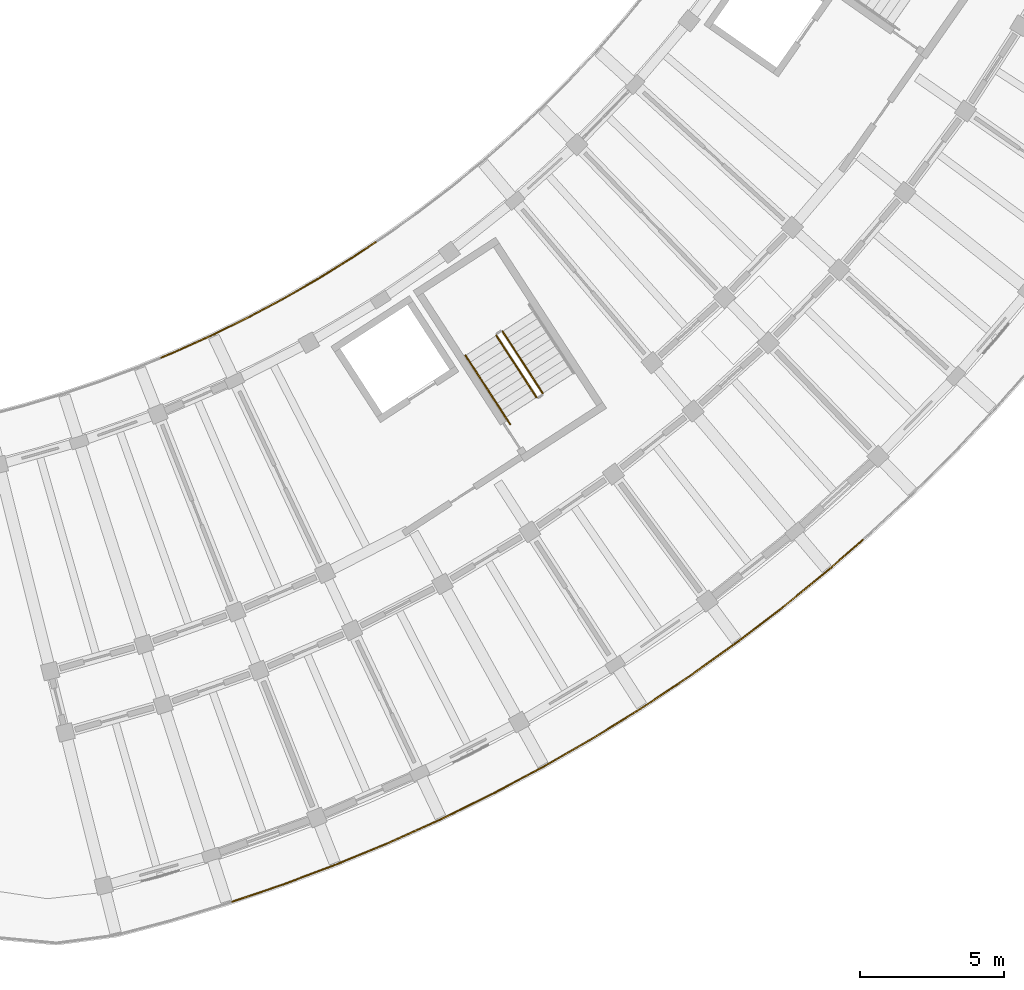
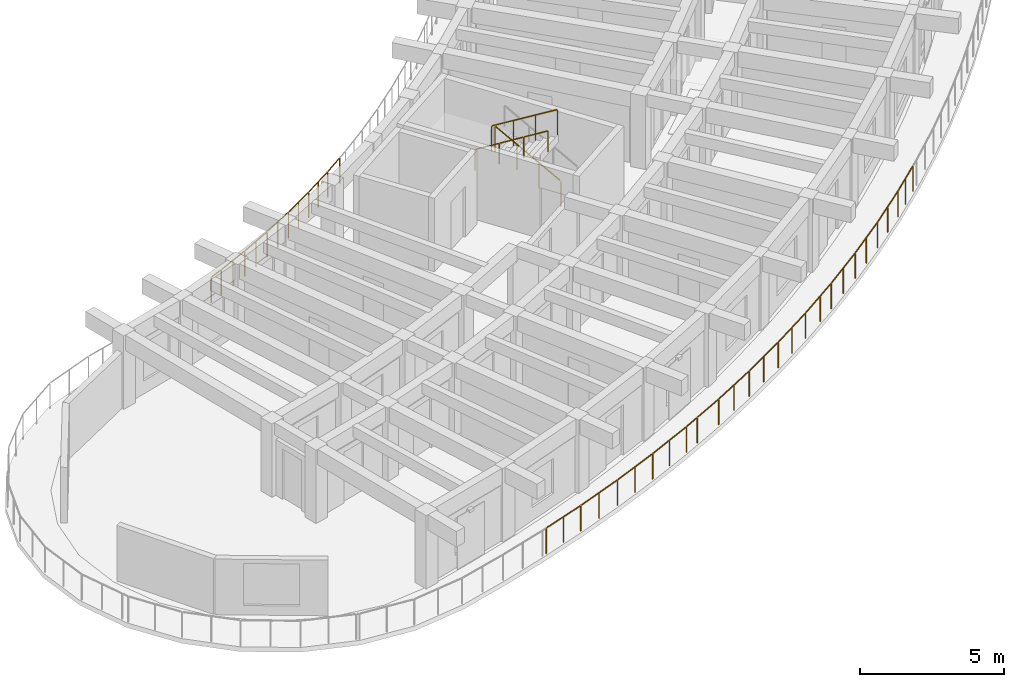
# One storey, part 74 of 81: 9 railings.
"""IFC4 building model written with IfcOpenShell, lengths in metres."""

import ifcopenshell
import ifcopenshell.guid

model = None  # the IFC model being written
_history = None  # IfcOwnerHistory: only IFC2X3 demands one
_inside = {}  # id of a spatial element -> (the spatial element, [elements in it])
_under = {}  # id of a project, library or spatial element -> (it, [spatial elements below it])
_declared = {}  # id of a project -> (the project, [libraries it declares])
_typed = {}  # id of a type object -> (the type object, [elements of that type])
_made_of = {}  # id of a material, layer set ... -> (it, [elements and type objects made of it])


def new_model(schema):
    """Start an empty IFC model of exactly this schema.

    Asked for "IFC4X3", IfcOpenShell would pick the latest addendum, in which some entities
    have other attributes; the version numbers below select the first issue.
    IFC2X3 requires an IfcOwnerHistory on every rooted entity: one is made here for all.
    """
    global model, _history
    if schema == "IFC4X3":
        model = ifcopenshell.file(schema_version=(4, 3, 0, 0))
    else:
        model = ifcopenshell.file(schema=schema)
    _inside.clear()
    _under.clear()
    _declared.clear()
    _typed.clear()
    _made_of.clear()
    _history = None
    if model.schema == "IFC2X3":
        org = make("IfcOrganization", Name="unknown")
        user = make(
            "IfcPersonAndOrganization",
            ThePerson=make("IfcPerson", FamilyName="unknown"),
            TheOrganization=org,
        )
        app = make(
            "IfcApplication",
            ApplicationDeveloper=org,
            Version="unknown",
            ApplicationFullName="unknown",
            ApplicationIdentifier="unknown",
        )
        _history = make(
            "IfcOwnerHistory",
            OwningUser=user,
            OwningApplication=app,
            ChangeAction="ADDED",
            CreationDate=0,
        )
    return model


def make(cls, **values):
    """One entity of the class cls with the attributes given. An attribute that is None is left unset."""
    return model.create_entity(
        cls, **{name: value for name, value in values.items() if value is not None}
    )


def rooted(cls, **values):
    """An entity with a GlobalId (a new one), such as an element, a storey or a relation."""
    return make(cls, GlobalId=ifcopenshell.guid.new(), OwnerHistory=_history, **values)


def si_unit(unit_type, name, prefix=None):
    """IfcSIUnit, for example si_unit("LENGTHUNIT", "METRE", prefix="MILLI")."""
    return make("IfcSIUnit", UnitType=unit_type, Prefix=prefix, Name=name)


def assignment(units):
    """IfcUnitAssignment: the units of a project."""
    return None if units is None else make("IfcUnitAssignment", Units=units)


def point(xyz):
    """IfcCartesianPoint."""
    return None if xyz is None else make("IfcCartesianPoint", Coordinates=xyz)


def direction(xyz):
    """IfcDirection."""
    return None if xyz is None else make("IfcDirection", DirectionRatios=xyz)


def frame(location, z_axis=None, x_axis=None):
    """IfcAxis2Placement3D, a coordinate frame: its origin and axes. An axis left out is left unset."""
    return make(
        "IfcAxis2Placement3D",
        Location=point(location),
        Axis=direction(z_axis),
        RefDirection=direction(x_axis),
    )


def frame_2d(location, x_axis=None):
    """IfcAxis2Placement2D, a coordinate frame in the plane: its origin and x axis."""
    return make(
        "IfcAxis2Placement2D", Location=point(location), RefDirection=direction(x_axis)
    )


def origin():
    """The frame at (0, 0, 0) with its axes left unset."""
    return frame((0.0, 0.0, 0.0))


def origin_2d():
    """The frame at (0, 0) in the plane with its x axis left unset."""
    return frame_2d((0.0, 0.0))


def place(relative_to, where):
    """IfcLocalPlacement: puts the frame where relative to a parent placement (None: the world)."""
    return make(
        "IfcLocalPlacement", PlacementRelTo=relative_to, RelativePlacement=where
    )


def context(
    kind, dimensions, precision=None, world=None, true_north=None, identifier=None
):
    """IfcGeometricRepresentationContext, for example the 3D "Model" context."""
    return make(
        "IfcGeometricRepresentationContext",
        ContextIdentifier=identifier,
        ContextType=kind,
        CoordinateSpaceDimension=dimensions,
        Precision=precision,
        WorldCoordinateSystem=world,
        TrueNorth=true_north,
    )


def subcontext(parent, identifier, kind, view, scale=None):
    """IfcGeometricRepresentationSubContext, for example "Body" below "Model"."""
    return make(
        "IfcGeometricRepresentationSubContext",
        ContextIdentifier=identifier,
        ContextType=kind,
        ParentContext=parent,
        TargetScale=scale,
        TargetView=view,
    )


def project(units=None, contexts=None):
    """IfcProject with its units and contexts."""
    return rooted(
        "IfcProject",
        Name="project",
        RepresentationContexts=contexts,
        UnitsInContext=assignment(units),
    )


def spatial(cls, under=None, at=None, **own):
    """A site, building, storey or space (cls), placed at a placement, below another one or the project."""
    s = rooted(cls, ObjectPlacement=at, **own)
    if under is not None:
        _under.setdefault(under.id(), (under, []))[1].append(s)
    return s


def profile(cls, at=None, kind="AREA", **sizes):
    """A parametric profile (cls). Its sizes go by their IFC names, for example OverallWidth=200.0."""
    return make(cls, ProfileType=kind, Position=at, **sizes)


def circle(**sizes):
    """IfcCircleProfileDef."""
    return profile("IfcCircleProfileDef", **sizes)


def extrude(swept, where, along, depth):
    """IfcExtrudedAreaSolid: the profile swept, set in the frame where, extruded along a direction by depth."""
    return make(
        "IfcExtrudedAreaSolid",
        SweptArea=swept,
        Position=where,
        ExtrudedDirection=direction(along),
        Depth=depth,
    )


def shape(context_of_items, identifier, shape_type, items):
    """IfcShapeRepresentation: the items that make up one representation, for example the "Body"."""
    return make(
        "IfcShapeRepresentation",
        ContextOfItems=context_of_items,
        RepresentationIdentifier=identifier,
        RepresentationType=shape_type,
        Items=items,
    )


def material(Name=None, Category=None):
    """IfcMaterial."""
    return make("IfcMaterial", Name=Name, Category=Category)


def made_of(thing, what):
    """Note that an element or type object is made of a material, layer set ...; save() writes the relation."""
    if what is not None:
        _made_of.setdefault(what.id(), (what, []))[1].append(thing)
    return thing


def type_object(cls, material=None, **own):
    """A type object (cls), such as IfcWallType, which elements share."""
    return made_of(rooted(cls, **own), material)


def element(
    cls,
    number,
    at=None,
    inside=None,
    cuts=None,
    type_object=None,
    material=None,
    context=None,
    identifier="Body",
    shape_type=None,
    held_by="IfcProductDefinitionShape",
    body=None,
    shapes=None,
    **own,
):
    """One element of the class cls, such as IfcWall. Its Tag is "e" and its number.

    at: its placement. inside: the storey or other place that contains it. cuts: it is an
    opening in that element (IfcRelVoidsElement). A single representation is given by context,
    identifier, shape_type and body (its items); several are given by shapes. held_by: the class
    of the entity that holds the representations. save() writes the other relations.
    """
    e = rooted(cls, Tag="e%d" % number, ObjectPlacement=at, **own)
    if body is not None:
        shapes = [shape(context, identifier, shape_type, body)]
    if shapes is not None:
        e.Representation = make(held_by, Representations=shapes)
    if inside is not None:
        _inside.setdefault(inside.id(), (inside, []))[1].append(e)
    if cuts is not None:
        rooted(
            "IfcRelVoidsElement", RelatingBuildingElement=cuts, RelatedOpeningElement=e
        )
    if type_object is not None:
        _typed.setdefault(type_object.id(), (type_object, []))[1].append(e)
    return made_of(e, material)


def aggregate(whole, parts):
    """IfcRelAggregates: a whole, such as a stair, and the parts it consists of."""
    return rooted("IfcRelAggregates", RelatingObject=whole, RelatedObjects=parts)


def save(model, path):
    """Write the relations noted so far, then the file.

    IfcRelAggregates (storeys below a building ...), IfcRelContainedInSpatialStructure (elements
    in a storey), IfcRelDefinesByType, IfcRelAssociatesMaterial and IfcRelDeclares: one each for
    every whole, place, type object, material and project.
    """
    for whole, parts in _under.values():
        aggregate(whole, parts)
    for where, things in _inside.values():
        rooted(
            "IfcRelContainedInSpatialStructure",
            RelatedElements=things,
            RelatingStructure=where,
        )
    for kind, things in _typed.values():
        rooted("IfcRelDefinesByType", RelatedObjects=things, RelatingType=kind)
    for what, things in _made_of.values():
        rooted("IfcRelAssociatesMaterial", RelatedObjects=things, RelatingMaterial=what)
    for by, libraries in _declared.values():
        rooted("IfcRelDeclares", RelatingContext=by, RelatedDefinitions=libraries)
    model.write(path)


model = new_model("IFC4")

# Units and contexts
model_context = context("Model", 3, precision=1e-05, world=origin(), true_north=direction((0.0, 1.0)))
body_context = subcontext(model_context, "Body", "Model", "MODEL_VIEW")
ifc_project = project(units=[si_unit("LENGTHUNIT", "METRE"), si_unit("AREAUNIT", "SQUARE_METRE"), si_unit("VOLUMEUNIT", "CUBIC_METRE"), si_unit("PLANEANGLEUNIT", "RADIAN"), si_unit("MASSUNIT", "GRAM", prefix="KILO")], contexts=[model_context])

# Site, building, storey
site_placement = place(None, origin())
site = spatial("IfcSite", under=ifc_project, at=site_placement, CompositionType="ELEMENT")
building_placement = place(site_placement, origin())
building = spatial("IfcBuilding", under=site, at=building_placement, Name="Tanwirah Colonnade Gardens", CompositionType="ELEMENT")
storey_placement = place(building_placement, frame((0.0, 0.0, 8.840087890625)))
storey = spatial("IfcBuildingStorey", under=building, at=storey_placement, Name="L02", CompositionType="ELEMENT", Elevation=8.840087890625)

# Railings
ifc_material_1 = material(Name="Precast concrete C40/50", Category="concrete")
railing_type_1 = type_object("IfcRailingType", Name="BAL-EXT110", PredefinedType="BALUSTRADE", material=ifc_material_1)
railing_1_placement = place(storey_placement, frame((137.40625, 25.105224609375, 0.0)))
element("IfcRailing", 1, at=railing_1_placement, inside=storey, type_object=railing_type_1, Name="Block D L02 Balcony Ribbon Balustrade 2", PredefinedType="BALUSTRADE", context=body_context, shape_type="SweptSolid", body=[
    extrude(circle(Radius=0.02392578125, at=origin_2d()), frame((0.02880859375, 0.011962890625, 1.076171875), z_axis=(0.924304230347, 0.381656507561, 0.0), x_axis=(-0.381656507561, 0.924304230347, 0.0)), (0.0, 0.0, 1.0), 0.506103515625),
    extrude(circle(Radius=0.02392578125, at=origin_2d()), frame((0.556640625, 0.231201171875, 1.076171875), z_axis=(0.911383314029, 0.411558568018, 0.0), x_axis=(-0.411558568018, 0.911383314029, 0.0)), (0.0, 0.0, 1.0), 1.33154296875),
    extrude(circle(Radius=0.02392578125, at=origin_2d()), frame((1.828857421875, 0.80712890625, 1.076171875), z_axis=(0.897349966121, 0.441319655469, 0.0), x_axis=(-0.441319655469, 0.897349966121, 0.0)), (0.0, 0.0, 1.0), 1.33154296875),
    extrude(circle(Radius=0.02392578125, at=origin_2d()), frame((3.081787109375, 1.42431640625, 1.076171875), z_axis=(0.88242081136, 0.470460956593, 0.0), x_axis=(-0.470460956593, 0.88242081136, 0.0)), (0.0, 0.0, 1.0), 1.331298828125),
    extrude(circle(Radius=0.02392578125, at=origin_2d()), frame((4.313720703125, 2.082275390625, 1.076171875), z_axis=(0.866535241782, 0.499115893104, 0.0), x_axis=(-0.499115893104, 0.866535241782, 0.0)), (0.0, 0.0, 1.0), 1.33154296875),
    extrude(circle(Radius=0.02392578125, at=origin_2d()), frame((5.5234375, 2.7802734375, 1.076171875), z_axis=(0.849764617567, 0.527162303973, 0.0), x_axis=(-0.527162303973, 0.849764617567, 0.0)), (0.0, 0.0, 1.0), 1.33154296875),
    extrude(circle(Radius=0.02392578125, at=origin_2d()), frame((6.709716796875, 3.517333984375, 1.076171875), z_axis=(0.832050294338, 0.554700196225, 0.0), x_axis=(-0.554700196225, 0.832050294338, 0.0)), (0.0, 0.0, 1.0), 0.8828125),
    extrude(circle(Radius=0.02099609375, at=origin_2d()), origin(), (0.0, 0.0, 1.0), 1.049072265625),
    extrude(circle(Radius=0.02099609375, at=origin_2d()), frame((0.525634765625, 0.217041015625, 0.0)), (0.0, 0.0, 1.0), 1.049072265625),
    extrude(circle(Radius=0.02099609375, at=origin_2d()), frame((1.163330078125, 0.505126953125, 0.0)), (0.0, 0.0, 1.0), 1.049072265625),
    extrude(circle(Radius=0.02099609375, at=origin_2d()), frame((1.798583984375, 0.7919921875, 0.0)), (0.0, 0.0, 1.0), 1.049072265625),
    extrude(circle(Radius=0.02099609375, at=origin_2d()), frame((2.42626953125, 1.100830078125, 0.0)), (0.0, 0.0, 1.0), 1.049072265625),
    extrude(circle(Radius=0.02099609375, at=origin_2d()), frame((3.0517578125, 1.408447265625, 0.0)), (0.0, 0.0, 1.0), 1.049072265625),
    extrude(circle(Radius=0.02099609375, at=origin_2d()), frame((3.669189453125, 1.737548828125, 0.0)), (0.0, 0.0, 1.0), 1.049072265625),
    extrude(circle(Radius=0.02099609375, at=origin_2d()), frame((4.2841796875, 2.0654296875, 0.0)), (0.0, 0.0, 1.0), 1.049072265625),
    extrude(circle(Radius=0.02099609375, at=origin_2d()), frame((4.890625, 2.41455078125, 0.0)), (0.0, 0.0, 1.0), 1.049072265625),
    extrude(circle(Radius=0.02099609375, at=origin_2d()), frame((5.49462890625, 2.762451171875, 0.0)), (0.0, 0.0, 1.0), 1.049072265625),
    extrude(circle(Radius=0.02099609375, at=origin_2d()), frame((6.089111328125, 3.131103515625, 0.0)), (0.0, 0.0, 1.0), 1.049072265625),
    extrude(circle(Radius=0.02099609375, at=origin_2d()), frame((6.681396484375, 3.49853515625, 0.0)), (0.0, 0.0, 1.0), 1.049072265625),
    extrude(circle(Radius=0.02099609375, at=origin_2d()), frame((7.47021484375, 4.0244140625, 0.0)), (0.0, 0.0, 1.0), 1.049072265625),
])
railing_2_placement = place(storey_placement, frame((161.835693359375, 18.761962890625, 0.0)))
element("IfcRailing", 2, at=railing_2_placement, inside=storey, type_object=railing_type_1, Name="Block D L02 Balcony Ribbon Balustrade 14", PredefinedType="BALUSTRADE", context=body_context, shape_type="SweptSolid", body=[
    extrude(circle(Radius=0.02392578125, at=origin_2d()), frame((-0.0234375, -0.0205078125, 1.076171875), z_axis=(-0.752557964537, -0.658526013163, 0.0), x_axis=(0.658526013163, -0.752557964537, 0.0)), (0.0, 0.0, 1.0), 1.552490234375),
    extrude(circle(Radius=0.02392578125, at=origin_2d()), frame((-1.239501953125, -1.083251953125, 1.076171875), z_axis=(-0.773707873236, -0.633542521771, 0.0), x_axis=(0.633542521771, -0.773707873236, 0.0)), (0.0, 0.0, 1.0), 1.944091796875),
    extrude(circle(Radius=0.02392578125, at=origin_2d()), frame((-2.792724609375, -2.353759765625, 1.076171875), z_axis=(-0.794033083107, -0.607874545388, 0.0), x_axis=(0.607874545388, -0.794033083107, 0.0)), (0.0, 0.0, 1.0), 1.944091796875),
    extrude(circle(Radius=0.02392578125, at=origin_2d()), frame((-4.386474609375, -3.572509765625, 1.076171875), z_axis=(-0.813486769226, -0.581583421612, 0.0), x_axis=(0.581583421612, -0.813486769226, 0.0)), (0.0, 0.0, 1.0), 1.944091796875),
    extrude(circle(Radius=0.02392578125, at=origin_2d()), frame((-6.01953125, -4.73876953125, 1.076171875), z_axis=(-0.832050294338, -0.554700196225, 0.0), x_axis=(0.554700196225, -0.832050294338, 0.0)), (0.0, 0.0, 1.0), 0.802734375),
    extrude(circle(Radius=0.02099609375, at=origin_2d()), origin(), (0.0, 0.0, 1.0), 1.049072265625),
    extrude(circle(Radius=0.02099609375, at=origin_2d()), frame((-0.607666015625, -0.53173828125, 0.0)), (0.0, 0.0, 1.0), 1.049072265625),
    extrude(circle(Radius=0.02099609375, at=origin_2d()), frame((-1.21533203125, -1.0634765625, 0.0)), (0.0, 0.0, 1.0), 1.049072265625),
    extrude(circle(Radius=0.02099609375, at=origin_2d()), frame((-1.99169921875, -1.69921875, 0.0)), (0.0, 0.0, 1.0), 1.049072265625),
    extrude(circle(Radius=0.02099609375, at=origin_2d()), frame((-2.767822265625, -2.334716796875, 0.0)), (0.0, 0.0, 1.0), 1.049072265625),
    extrude(circle(Radius=0.02099609375, at=origin_2d()), frame((-3.564453125, -2.944580078125, 0.0)), (0.0, 0.0, 1.0), 1.049072265625),
    extrude(circle(Radius=0.02099609375, at=origin_2d()), frame((-4.361083984375, -3.554443359375, 0.0)), (0.0, 0.0, 1.0), 1.049072265625),
    extrude(circle(Radius=0.02099609375, at=origin_2d()), frame((-5.17724609375, -4.137939453125, 0.0)), (0.0, 0.0, 1.0), 1.049072265625),
    extrude(circle(Radius=0.02099609375, at=origin_2d()), frame((-5.993408203125, -4.721435546875, 0.0)), (0.0, 0.0, 1.0), 1.049072265625),
    extrude(circle(Radius=0.02099609375, at=origin_2d()), frame((-6.71337890625, -5.201416015625, 0.0)), (0.0, 0.0, 1.0), 1.049072265625),
])
railing_3_placement = place(storey_placement, frame((155.122314453125, 13.560546875, 0.0)))
element("IfcRailing", 3, at=railing_3_placement, inside=storey, type_object=railing_type_1, Name="Block D L02 Balcony Ribbon Balustrade 15", PredefinedType="BALUSTRADE", context=body_context, shape_type="SweptSolid", body=[
    extrude(circle(Radius=0.02392578125, at=origin_2d()), frame((-0.026123046875, -0.017333984375, 1.076171875), z_axis=(-0.832083201048, -0.554650832987, 0.0), x_axis=(0.554650832987, -0.832083201048, 0.0)), (0.0, 0.0, 1.0), 1.078857421875),
    extrude(circle(Radius=0.02392578125, at=origin_2d()), frame((-0.976318359375, -0.649658203125, 1.076171875), z_axis=(-0.84977735452, -0.527141771959, 0.0), x_axis=(0.527141771959, -0.84977735452, 0.0)), (0.0, 0.0, 1.0), 1.9443359375),
    extrude(circle(Radius=0.02392578125, at=origin_2d()), frame((-2.68212890625, -1.70654296875, 1.076171875), z_axis=(-0.866598539642, -0.499005983021, 0.0), x_axis=(0.499005983021, -0.866598539642, 0.0)), (0.0, 0.0, 1.0), 1.94384765625),
    extrude(circle(Radius=0.02392578125, at=origin_2d()), frame((-4.42138671875, -2.706787109375, 1.076171875), z_axis=(-0.882416921514, -0.470468252516, 0.0), x_axis=(0.470468252516, -0.882416921514, 0.0)), (0.0, 0.0, 1.0), 1.944091796875),
    extrude(circle(Radius=0.02392578125, at=origin_2d()), frame((-6.192626953125, -3.650146484375, 1.076171875), z_axis=(-0.897361804375, -0.441295583537, 0.0), x_axis=(0.441295583537, -0.897361804375, 0.0)), (0.0, 0.0, 1.0), 1.2763671875),
    extrude(circle(Radius=0.02099609375, at=origin_2d()), origin(), (0.0, 0.0, 1.0), 1.049072265625),
    extrude(circle(Radius=0.02099609375, at=origin_2d()), frame((-0.94970703125, -0.633056640625, 0.0)), (0.0, 0.0, 1.0), 1.049072265625),
    extrude(circle(Radius=0.02099609375, at=origin_2d()), frame((-1.80224609375, -1.162109375, 0.0)), (0.0, 0.0, 1.0), 1.049072265625),
    extrude(circle(Radius=0.02099609375, at=origin_2d()), frame((-2.655029296875, -1.69091796875, 0.0)), (0.0, 0.0, 1.0), 1.049072265625),
    extrude(circle(Radius=0.02099609375, at=origin_2d()), frame((-3.5244140625, -2.19140625, 0.0)), (0.0, 0.0, 1.0), 1.049072265625),
    extrude(circle(Radius=0.02099609375, at=origin_2d()), frame((-4.393798828125, -2.692138671875, 0.0)), (0.0, 0.0, 1.0), 1.049072265625),
    extrude(circle(Radius=0.02099609375, at=origin_2d()), frame((-5.279296875, -3.1640625, 0.0)), (0.0, 0.0, 1.0), 1.049072265625),
    extrude(circle(Radius=0.02099609375, at=origin_2d()), frame((-6.16455078125, -3.63623046875, 0.0)), (0.0, 0.0, 1.0), 1.049072265625),
    extrude(circle(Radius=0.02099609375, at=origin_2d()), frame((-7.365966796875, -4.22705078125, 0.0)), (0.0, 0.0, 1.0), 1.049072265625),
])
railing_4_placement = place(storey_placement, frame((147.75634765625, 9.33349609375, 0.0)))
element("IfcRailing", 4, at=railing_4_placement, inside=storey, type_object=railing_type_1, Name="Block D L02 Balcony Ribbon Balustrade 16", PredefinedType="BALUSTRADE", context=body_context, shape_type="SweptSolid", body=[
    extrude(circle(Radius=0.02392578125, at=origin_2d()), frame((-0.028076171875, -0.013916015625, 1.076171875), z_axis=(-0.897333348104, -0.441353443831, 0.0), x_axis=(0.441353443831, -0.897333348104, 0.0)), (0.0, 0.0, 1.0), 0.605224609375),
    extrude(circle(Radius=0.02392578125, at=origin_2d()), frame((-0.627685546875, -0.3076171875, 1.076171875), z_axis=(-0.911305810052, -0.411730155035, 0.0), x_axis=(0.411730155035, -0.911305810052, 0.0)), (0.0, 0.0, 1.0), 1.944091796875),
    extrude(circle(Radius=0.02392578125, at=origin_2d()), frame((-2.45654296875, -1.1328125, 1.076171875), z_axis=(-0.924299685122, -0.381667515102, 0.0), x_axis=(0.381667515102, -0.924299685122, 0.0)), (0.0, 0.0, 1.0), 1.944091796875),
    extrude(circle(Radius=0.02392578125, at=origin_2d()), frame((-4.311767578125, -1.897705078125, 1.076171875), z_axis=(-0.93628917395, -0.351230099427, 0.0), x_axis=(0.351230099427, -0.93628917395, 0.0)), (0.0, 0.0, 1.0), 1.9443359375),
    extrude(circle(Radius=0.02392578125, at=origin_2d()), frame((-6.19091796875, -2.6015625, 1.076171875), z_axis=(-0.947300271749, -0.320346991783, 0.0), x_axis=(0.320346991783, -0.947300271749, 0.0)), (0.0, 0.0, 1.0), 1.749755859375),
    extrude(circle(Radius=0.02099609375, at=origin_2d()), origin(), (0.0, 0.0, 1.0), 1.049072265625),
    extrude(circle(Radius=0.02099609375, at=origin_2d()), frame((-0.59912109375, -0.294677734375, 0.0)), (0.0, 0.0, 1.0), 1.049072265625),
    extrude(circle(Radius=0.02099609375, at=origin_2d()), frame((-1.513427734375, -0.707763671875, 0.0)), (0.0, 0.0, 1.0), 1.049072265625),
    extrude(circle(Radius=0.02099609375, at=origin_2d()), frame((-2.427734375, -1.120849609375, 0.0)), (0.0, 0.0, 1.0), 1.049072265625),
    extrude(circle(Radius=0.02099609375, at=origin_2d()), frame((-3.35498046875, -1.50390625, 0.0)), (0.0, 0.0, 1.0), 1.049072265625),
    extrude(circle(Radius=0.02099609375, at=origin_2d()), frame((-4.282470703125, -1.88671875, 0.0)), (0.0, 0.0, 1.0), 1.049072265625),
    extrude(circle(Radius=0.02099609375, at=origin_2d()), frame((-5.221923828125, -2.2392578125, 0.0)), (0.0, 0.0, 1.0), 1.049072265625),
    extrude(circle(Radius=0.02099609375, at=origin_2d()), frame((-6.161376953125, -2.591552734375, 0.0)), (0.0, 0.0, 1.0), 1.049072265625),
    extrude(circle(Radius=0.02099609375, at=origin_2d()), frame((-7.019775390625, -2.8818359375, 0.0)), (0.0, 0.0, 1.0), 1.049072265625),
    extrude(circle(Radius=0.02099609375, at=origin_2d()), frame((-7.878173828125, -3.172119140625, 0.0)), (0.0, 0.0, 1.0), 1.049072265625),
])
ifc_material_2 = material(Name="Powder-coated galvanized steel", Category="steel")
railing_type_2 = type_object("IfcRailingType", Name="GRD-ST110", PredefinedType="GUARDRAIL", material=ifc_material_2)
railing_5_placement = place(storey_placement, frame((150.691162109375, 23.865478515625, 0.16796875)))
element("IfcRailing", 5, at=railing_5_placement, inside=storey, type_object=railing_type_2, Name="L02 ST-D1 stair guard 1", PredefinedType="GUARDRAIL", context=body_context, shape_type="SweptSolid", body=[
    extrude(circle(Radius=0.02392578125, at=origin_2d()), frame((-0.0146484375, 0.022705078125, 1.092041015625), z_axis=(-0.469192556557, 0.722484378858, 0.507813614603), x_axis=(-0.838667537708, -0.544643701143, 0.0)), (0.0, 0.0, 1.0), 2.914794921875),
    extrude(circle(Radius=0.02099609375, at=origin_2d()), origin(), (0.0, 0.0, 1.0), 1.049072265625),
    extrude(circle(Radius=0.02099609375, at=origin_2d()), frame((-0.465576171875, 0.717041015625, 0.50390625)), (0.0, 0.0, 1.0), 1.049072265625),
    extrude(circle(Radius=0.02099609375, at=origin_2d()), frame((-0.931396484375, 1.43408203125, 1.008056640625)), (0.0, 0.0, 1.0), 1.049072265625),
    extrude(circle(Radius=0.02099609375, at=origin_2d()), frame((-1.39697265625, 2.151123046875, 1.511962890625)), (0.0, 0.0, 1.0), 1.049072265625),
])
railing_6_placement = place(storey_placement, frame((149.076171875, 25.875, 1.847900390625)))
element("IfcRailing", 6, at=railing_6_placement, inside=storey, type_object=railing_type_2, Name="L02 ST-D1 stair guard 3", PredefinedType="GUARDRAIL", context=body_context, shape_type="SweptSolid", body=[
    extrude(circle(Radius=0.02392578125, at=origin_2d()), frame((0.0146484375, -0.022705078125, 1.092041015625), z_axis=(0.469192556557, -0.722484378858, 0.507813614603), x_axis=(0.838667537708, 0.544643701143, 0.0)), (0.0, 0.0, 1.0), 2.914794921875),
    extrude(circle(Radius=0.02099609375, at=origin_2d()), origin(), (0.0, 0.0, 1.0), 1.049072265625),
    extrude(circle(Radius=0.02099609375, at=origin_2d()), frame((0.465576171875, -0.717041015625, 0.50390625)), (0.0, 0.0, 1.0), 1.049072265625),
    extrude(circle(Radius=0.02099609375, at=origin_2d()), frame((0.931396484375, -1.43408203125, 1.008056640625)), (0.0, 0.0, 1.0), 1.049072265625),
    extrude(circle(Radius=0.02099609375, at=origin_2d()), frame((1.39697265625, -2.151123046875, 1.511962890625)), (0.0, 0.0, 1.0), 1.049072265625),
])
ifc_material_3 = material(Name="Brushed bronze stainless steel", Category="steel")
railing_type_3 = type_object("IfcRailingType", Name="HR-ST090", PredefinedType="HANDRAIL", material=ifc_material_3)
railing_7_placement = place(storey_placement, frame((148.002685546875, 25.177978515625, 1.847900390625)))
element("IfcRailing", 7, at=railing_7_placement, inside=storey, type_object=railing_type_3, Name="L02 ST-D1 stair handrail 4", PredefinedType="HANDRAIL", context=body_context, shape_type="SweptSolid", body=[
    extrude(circle(Radius=0.02392578125, at=origin_2d()), frame((0.0146484375, -0.0224609375, 0.891845703125), z_axis=(0.467815092293, -0.720598613141, 0.511748647445), x_axis=(0.838748777278, 0.544518584269, 0.0)), (0.0, 0.0, 1.0), 1.043212890625),
    extrude(circle(Radius=0.02099609375, at=origin_2d()), origin(), (0.0, 0.0, 1.0), 0.848876953125),
    extrude(circle(Radius=0.02099609375, at=origin_2d()), frame((0.517333984375, -0.796875, 0.56591796875)), (0.0, 0.0, 1.0), 0.848876953125),
])
railing_8_placement = place(storey_placement, frame((148.52001953125, 24.381103515625, 2.413818359375)))
element("IfcRailing", 8, at=railing_8_placement, inside=storey, type_object=railing_type_3, Name="L02 ST-D1 stair handrail 5", PredefinedType="HANDRAIL", context=body_context, shape_type="SweptSolid", body=[
    extrude(circle(Radius=0.02392578125, at=origin_2d()), frame((0.0146484375, -0.0224609375, 0.891845703125), z_axis=(0.468009073391, -0.720336606828, 0.511940113771), x_axis=(0.838555156357, 0.544816712067, 0.0)), (0.0, 0.0, 1.0), 1.04345703125),
    extrude(circle(Radius=0.02099609375, at=origin_2d()), origin(), (0.0, 0.0, 1.0), 0.848876953125),
    extrude(circle(Radius=0.02099609375, at=origin_2d()), frame((0.517578125, -0.796630859375, 0.566162109375)), (0.0, 0.0, 1.0), 0.848876953125),
])
railing_9_placement = place(storey_placement, frame((149.03759765625, 23.58447265625, 2.97998046875)))
element("IfcRailing", 9, at=railing_9_placement, inside=storey, type_object=railing_type_3, Name="L02 ST-D1 stair handrail 6", PredefinedType="HANDRAIL", context=body_context, shape_type="SweptSolid", body=[
    extrude(circle(Radius=0.02392578125, at=origin_2d()), frame((0.0146484375, -0.0224609375, 0.891845703125), z_axis=(0.467815092293, -0.720598613141, 0.511748647445), x_axis=(0.838748777278, 0.544518584269, 0.0)), (0.0, 0.0, 1.0), 1.043212890625),
    extrude(circle(Radius=0.02099609375, at=origin_2d()), origin(), (0.0, 0.0, 1.0), 0.848876953125),
    extrude(circle(Radius=0.02099609375, at=origin_2d()), frame((0.517333984375, -0.796875, 0.56591796875)), (0.0, 0.0, 1.0), 0.848876953125),
])

save(model, "model.ifc")
